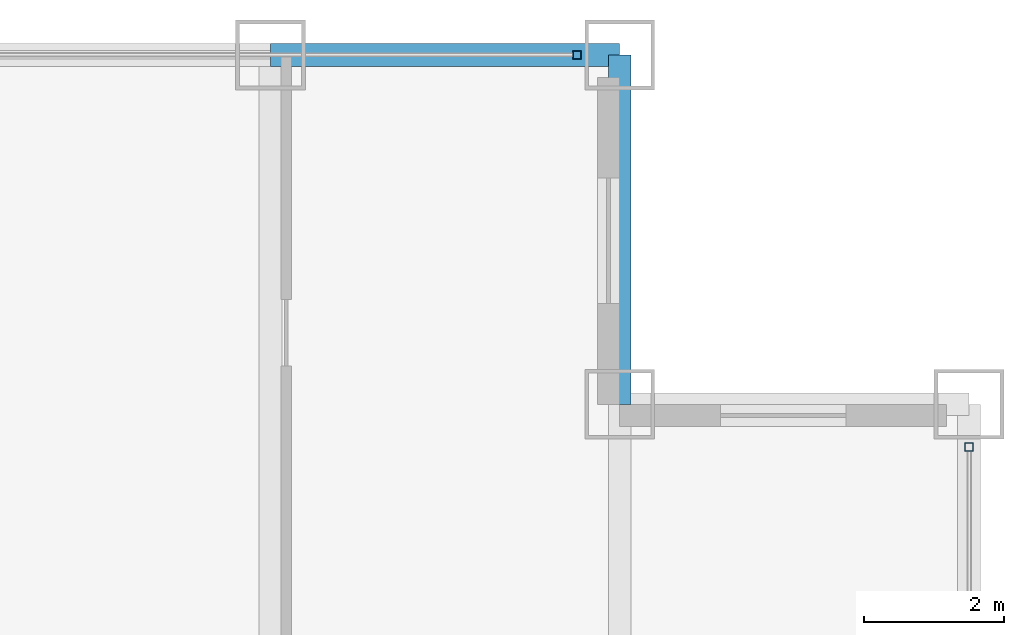
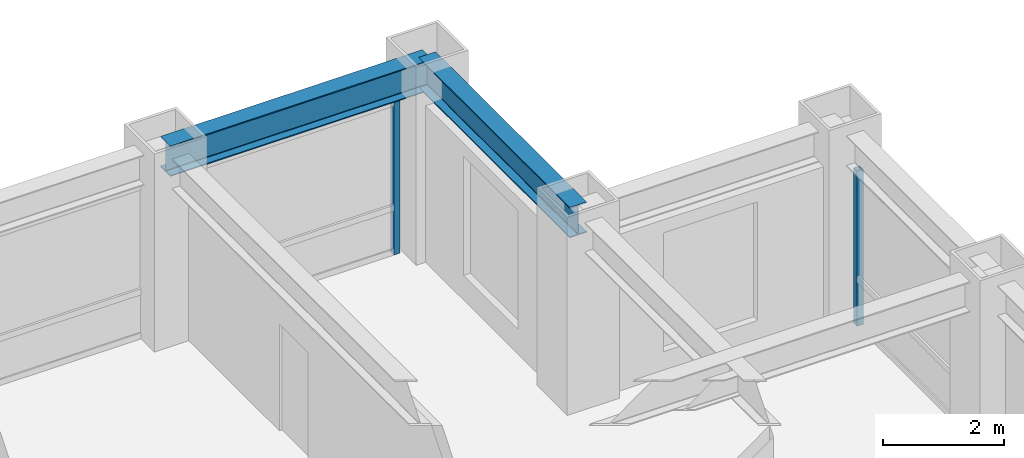
# One storey, part 18 of 25: 2 beams, 2 members, 2 elements without a shape of their own.
"""IFC4 building model written with IfcOpenShell, lengths in metres."""

from ifc_helpers import new_model, si_unit, direction, frame, origin, origin_2d, place, context, subcontext, project, spatial, hollow_rectangle, i_section, extrude, source, transform, mapped, material, material_profile, profile_set, type_object, element, aggregate, save


model = new_model("IFC4")

# Units and contexts
model_context = context("Model", 3, precision=1e-05, world=origin(), true_north=direction((0.0, 1.0)))
body_context = subcontext(model_context, "Body", "Model", "MODEL_VIEW")
ifc_project = project(units=[si_unit("LENGTHUNIT", "METRE"), si_unit("AREAUNIT", "SQUARE_METRE"), si_unit("VOLUMEUNIT", "CUBIC_METRE"), si_unit("PLANEANGLEUNIT", "RADIAN"), si_unit("MASSUNIT", "GRAM", prefix="KILO")], contexts=[model_context])

# Site, building, storey
site_placement = place(None, origin())
site = spatial("IfcSite", under=ifc_project, at=site_placement, CompositionType="ELEMENT")
building_placement = place(site_placement, origin())
building = spatial("IfcBuilding", under=site, at=building_placement, Name="Khorayat Bourse Tower", CompositionType="ELEMENT")
storey_placement = place(building_placement, frame((0.0, 0.0, 247.10009765625)))
storey = spatial("IfcBuildingStorey", under=building, at=storey_placement, Name="L58", CompositionType="ELEMENT", Elevation=247.10009765625)

# Beams
ifc_material_1 = material(Name="Steel ASTM A992 Grade 50", Category="steel")
ifc_material_profile_1 = material_profile(ifc_material_1, i_section(OverallWidth=0.324951171875, OverallDepth=0.615966796875, WebThickness=0.013916015625, FlangeThickness=0.021484375, FilletRadius=0.01611328125, at=origin_2d()), Name="W610X174")
ifc_profile_set_1 = profile_set([ifc_material_profile_1], Name="Steel ASTM A992 Grade 50")
beam_type = type_object("IfcBeamType", Name="BM-SPAN-610", PredefinedType="SPANDREL", material=ifc_profile_set_1)
shared_shape_1 = source(origin(), body_context, "Body", "SweptSolid", [
    extrude(i_section(OverallWidth=0.324951171875, OverallDepth=0.615966796875, WebThickness=0.013916015625, FlangeThickness=0.021484375, FilletRadius=0.01611328125, at=origin_2d()), origin(), (0.0, 0.0, 1.0), 5.0),
])
for number, where, z_axis, x_axis, name in (
    (1, (25.0, 25.0, 3.471923828125), (0.0, 1.0, 0.0), (-1.0, 0.0, 0.0), "L58 BM-SPAN-610 BM-L58-SPN-043"),
    (2, (20.0, 30.0, 3.471923828125), (1.0, 0.0, 0.0), (0.0, 1.0, 0.0), "L58 BM-SPAN-610 BM-L58-SPN-044"),
):
    element("IfcBeam", number, at=place(storey_placement, frame(where, z_axis=z_axis, x_axis=x_axis)), inside=storey, type_object=beam_type, Name=name, PredefinedType="SPANDREL", context=body_context, shape_type="MappedRepresentation", body=[
        mapped(shared_shape_1, transform((0.0, 0.0, 0.0), scale=1.0)),
    ])

# Curtain wall, member
ifc_material_2 = material(Name="Aluminium EN AW-6063 T6", Category="aluminium")
curtain_wall_type = type_object("IfcCurtainWallType", Name="CW-SYS-03", PredefinedType="NOTDEFINED", material=ifc_material_2)
curtain_wall_1_placement = place(storey_placement, origin())
curtain_wall_1 = element("IfcCurtainWall", 3, at=curtain_wall_1_placement, inside=storey, type_object=curtain_wall_type, Name="L58 Curtain Wall CW-L58-N1", PredefinedType="NOTDEFINED")
ifc_material_profile_2 = material_profile(ifc_material_2, hollow_rectangle(XDim=0.1201171875, YDim=0.1201171875, WallThickness=0.0048828125, at=origin_2d()), Name="ALU 120x120x5")
ifc_profile_set_2 = profile_set([ifc_material_profile_2], Name="Aluminium EN AW-6063 T6")
member_type = type_object("IfcMemberType", Name="CWM-VERT-120", PredefinedType="MULLION", material=ifc_profile_set_2)
shared_shape_2 = source(origin(), body_context, "Body", "SweptSolid", [
    extrude(hollow_rectangle(XDim=0.1201171875, YDim=0.1201171875, WallThickness=0.0048828125, at=origin_2d()), origin(), (0.0, 0.0, 1.0), 3.1298828125),
])
member_1_placement = place(storey_placement, frame((24.389892578125, 30.0, 0.0), z_axis=(0.0, 0.0, 1.0), x_axis=(0.0, 1.0, 0.0)))
member_1 = element("IfcMember", 4, at=member_1_placement, type_object=member_type, Name="CW-L58-N1 Vertical Mullion 3", PredefinedType="MULLION", context=body_context, shape_type="MappedRepresentation", body=[
    mapped(shared_shape_2, transform((0.0, 0.0, 0.0), scale=1.0)),
])
aggregate(curtain_wall_1, [member_1])

curtain_wall_2_placement = place(storey_placement, origin())
curtain_wall_2 = element("IfcCurtainWall", 5, at=curtain_wall_2_placement, inside=storey, type_object=curtain_wall_type, Name="L58 Curtain Wall CW-L58-E1", PredefinedType="NOTDEFINED")
member_2_placement = place(storey_placement, frame((30.0, 24.389892578125, 0.0), z_axis=(0.0, 0.0, 1.0), x_axis=(-1.0, 0.0, 0.0)))
member_2 = element("IfcMember", 6, at=member_2_placement, type_object=member_type, Name="CW-L58-E1 Vertical Mullion 3", PredefinedType="MULLION", context=body_context, shape_type="MappedRepresentation", body=[
    mapped(shared_shape_2, transform((0.0, 0.0, 0.0), scale=1.0)),
])
aggregate(curtain_wall_2, [member_2])

save(model, "model.ifc")
